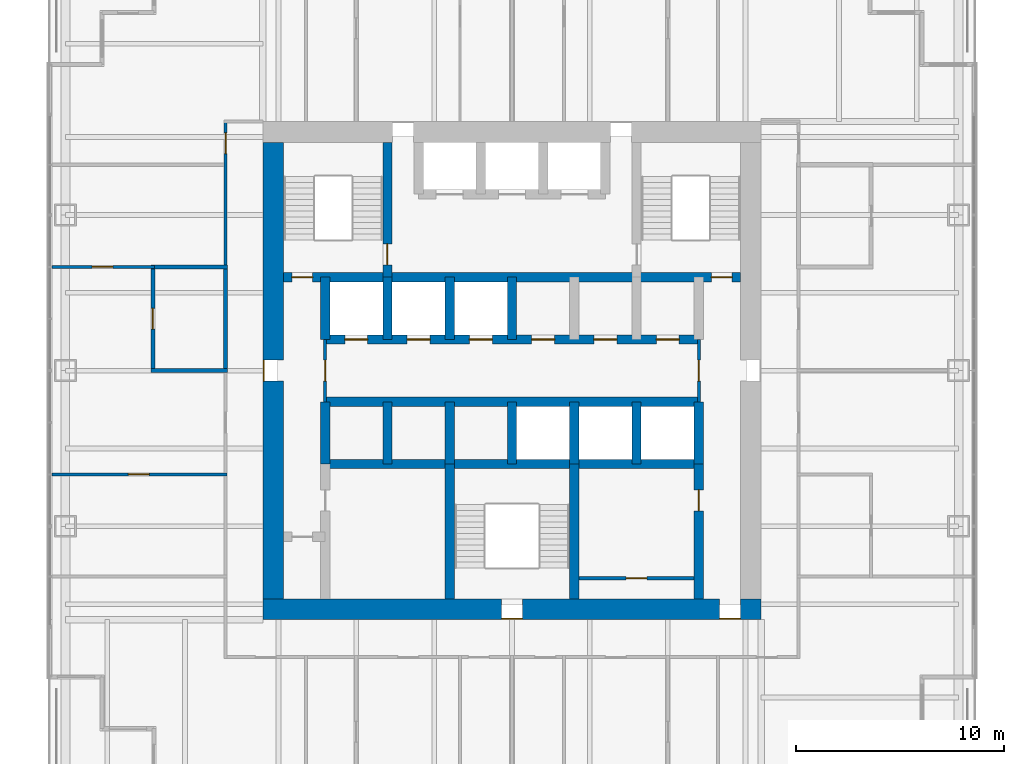
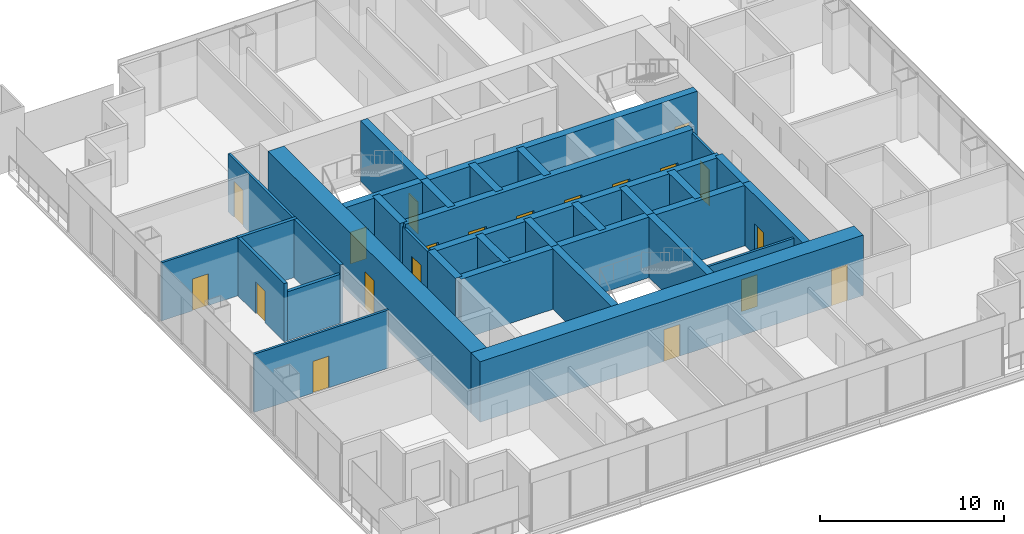
# One storey, part 9 of 13: 31 walls, 20 doors, 20 openings.
"""IFC4 building model written with IfcOpenShell, lengths in metres."""

from ifc_helpers import new_model, si_unit, direction, frame, frame_2d, origin, place, context, subcontext, project, spatial, rectangle, extrude, material, layer, layer_set, type_object, element, fill, save


model = new_model("IFC4")

# Units and contexts
model_context = context("Model", 3, precision=1e-05, world=origin(), true_north=direction((0.0, 1.0)))
body_context = subcontext(model_context, "Body", "Model", "MODEL_VIEW")
ifc_project = project(units=[si_unit("LENGTHUNIT", "METRE"), si_unit("AREAUNIT", "SQUARE_METRE"), si_unit("VOLUMEUNIT", "CUBIC_METRE"), si_unit("PLANEANGLEUNIT", "RADIAN"), si_unit("MASSUNIT", "GRAM", prefix="KILO")], contexts=[model_context])

# Site, building, storey
site_placement = place(None, origin())
site = spatial("IfcSite", under=ifc_project, at=site_placement, CompositionType="ELEMENT")
building_placement = place(site_placement, origin())
building = spatial("IfcBuilding", under=site, at=building_placement, Name="Tarangal Relay Tower", CompositionType="ELEMENT")
storey_placement = place(building_placement, frame((0.0, 0.0, 181.89990234375)))
storey = spatial("IfcBuildingStorey", under=building, at=storey_placement, Name="L37", CompositionType="ELEMENT", Elevation=181.89990234375)

# Walls
ifc_material_1 = material(Name="Two layers gypsum board each side on twin steel studs, mineral wool", Category="steel")
ifc_layer_1 = layer(ifc_material_1, 0.199951171875)
ifc_layer_set_1 = layer_set([ifc_layer_1], Name="Acoustic partition 200")
wall_type_1 = type_object("IfcWallType", Name="Acoustic partition 200", PredefinedType="PARTITIONING", material=ifc_layer_set_1)
wall_1_placement = place(storey_placement, frame((-17.39990234375, 0.0, 0.0), z_axis=(0.0, 0.0, 1.0), x_axis=(1.0, 0.0, 0.0)))
element("IfcWall", 1, at=wall_1_placement, inside=storey, type_object=wall_type_1, Name="Partition PT2 L37", PredefinedType="PARTITIONING", context=body_context, shape_type="SweptSolid", body=[
    extrude(rectangle(XDim=3.699951171875, YDim=0.199951171875, at=frame_2d((1.85009765625, 0.0))), origin(), (0.0, 0.0, 1.0), 3.238037109375),
])
wall_2_placement = place(storey_placement, frame((-17.39990234375, 5.0, 0.0), z_axis=(0.0, 0.0, 1.0), x_axis=(1.0, 0.0, 0.0)))
element("IfcWall", 2, at=wall_2_placement, inside=storey, type_object=wall_type_1, Name="Partition PT2 L37", PredefinedType="PARTITIONING", context=body_context, shape_type="SweptSolid", body=[
    extrude(rectangle(XDim=3.699951171875, YDim=0.199951171875, at=frame_2d((1.85009765625, 0.0))), origin(), (0.0, 0.0, 1.0), 3.85009765625),
])

# Wall, opening, door
wall_3_placement = place(storey_placement, frame((-17.300048828125, -0.10009765625, 0.0), z_axis=(0.0, 0.0, 1.0), x_axis=(0.0, 1.0, 0.0)))
wall_3 = element("IfcWall", 3, at=wall_3_placement, inside=storey, type_object=wall_type_1, Name="Partition PT2 L37", PredefinedType="PARTITIONING", context=body_context, shape_type="SweptSolid", body=[
    extrude(rectangle(XDim=5.2001953125, YDim=0.199951171875, at=frame_2d((2.60009765625, 0.0))), origin(), (0.0, 0.0, 1.0), 3.85009765625),
])
opening_1_placement = place(wall_3_placement, frame((2.10009765625, 0.0, 0.0)))
opening_1 = element("IfcOpeningElement", 4, at=opening_1_placement, cuts=wall_3, Name="Opening D2", PredefinedType="OPENING", context=body_context, shape_type="SweptSolid", body=[
    extrude(rectangle(XDim=1.0, YDim=2.10009765625, at=frame_2d((0.5, 1.050048828125))), frame((0.0, 0.10986328125, 0.0), z_axis=(0.0, -1.0, 0.0), x_axis=(1.0, 0.0, 0.0)), (0.0, 0.0, 1.0), 0.219970703125),
])
ifc_material_2 = material(Name="Hardwood door", Category="wood")
door_type_1 = type_object("IfcDoorType", Name="Door 1000 x 2100", OperationType="SINGLE_SWING_LEFT", PredefinedType="DOOR", material=ifc_material_2)
door_1_placement = place(opening_1_placement, origin())
door_1 = element("IfcDoor", 5, at=door_1_placement, inside=storey, type_object=door_type_1, Name="Door D2 to meeting room L37-20", OperationType="SINGLE_SWING_LEFT", OverallHeight=2.10009765625, OverallWidth=1.0, PredefinedType="DOOR", context=body_context, shape_type="SweptSolid", body=[
    extrude(rectangle(XDim=1.0, YDim=2.10009765625, at=frame_2d((0.5, 1.050048828125))), frame((0.0, 0.02490234375, 0.0), z_axis=(0.0, -1.0, 0.0), x_axis=(1.0, 0.0, 0.0)), (0.0, 0.0, 1.0), 0.050048828125),
])
fill(opening_1, door_1)

# Wall
wall_4_placement = place(storey_placement, frame((-13.800048828125, -0.10009765625, 0.0), z_axis=(0.0, 0.0, 1.0), x_axis=(0.0, 1.0, 0.0)))
element("IfcWall", 6, at=wall_4_placement, inside=storey, type_object=wall_type_1, Name="Partition PT2 L37", PredefinedType="PARTITIONING", context=body_context, shape_type="SweptSolid", body=[
    extrude(rectangle(XDim=5.2001953125, YDim=0.199951171875, at=frame_2d((2.60009765625, 0.0))), origin(), (0.0, 0.0, 1.0), 3.85009765625),
])

# Wall, openings, doors
ifc_material_3 = material(Name="Concrete fc' 60 MPa", Category="concrete")
ifc_layer_2 = layer(ifc_material_3, 0.449951171875)
ifc_layer_set_2 = layer_set([ifc_layer_2], Name="Core inner wall 450")
wall_type_2 = type_object("IfcWallType", Name="Core inner wall 450", PredefinedType="SHEAR", material=ifc_layer_set_2)
wall_5_placement = place(storey_placement, frame((-11.0, 4.5, 0.0), z_axis=(0.0, 0.0, 1.0), x_axis=(1.0, 0.0, 0.0)))
wall_5 = element("IfcWall", 7, at=wall_5_placement, inside=storey, type_object=wall_type_2, Name="Core wall Y45 L37", PredefinedType="SHEAR", context=body_context, shape_type="SweptSolid", body=[
    extrude(rectangle(XDim=22.0, YDim=0.449951171875, at=frame_2d((11.0, 0.0))), origin(), (0.0, 0.0, 1.0), 4.0),
])
opening_2_placement = place(wall_5_placement, frame((0.39990234375, 0.0, 0.0)))
opening_2 = element("IfcOpeningElement", 8, at=opening_2_placement, cuts=wall_5, Name="Opening FD1", PredefinedType="OPENING", context=body_context, shape_type="SweptSolid", body=[
    extrude(rectangle(XDim=1.0, YDim=2.10009765625, at=frame_2d((0.5, 1.050048828125))), frame((0.0, 0.23486328125, 0.0), z_axis=(0.0, -1.0, 0.0), x_axis=(1.0, 0.0, 0.0)), (0.0, 0.0, 1.0), 0.469970703125),
])
opening_3_placement = place(wall_5_placement, frame((20.60009765625, 0.0, 0.0)))
opening_3 = element("IfcOpeningElement", 9, at=opening_3_placement, cuts=wall_5, Name="Opening FD1", PredefinedType="OPENING", context=body_context, shape_type="SweptSolid", body=[
    extrude(rectangle(XDim=1.0, YDim=2.10009765625, at=frame_2d((0.5, 1.050048828125))), frame((0.0, 0.23486328125, 0.0), z_axis=(0.0, -1.0, 0.0), x_axis=(1.0, 0.0, 0.0)), (0.0, 0.0, 1.0), 0.469970703125),
])
ifc_material_4 = material(Name="Steel door with hardwood frame", Category="steel")
door_type_2 = type_object("IfcDoorType", Name="Fire door 1000 x 2100", OperationType="SINGLE_SWING_LEFT", PredefinedType="DOOR", material=ifc_material_4)
door_2_placement = place(opening_2_placement, origin())
door_2 = element("IfcDoor", 10, at=door_2_placement, inside=storey, type_object=door_type_2, Name="Stair ST-A door from corridor L37", OperationType="SINGLE_SWING_LEFT", OverallHeight=2.10009765625, OverallWidth=1.0, PredefinedType="DOOR", context=body_context, shape_type="SweptSolid", body=[
    extrude(rectangle(XDim=1.0, YDim=2.10009765625, at=frame_2d((0.5, 1.050048828125))), frame((0.0, 0.02490234375, 0.0), z_axis=(0.0, -1.0, 0.0), x_axis=(1.0, 0.0, 0.0)), (0.0, 0.0, 1.0), 0.050048828125),
])
fill(opening_2, door_2)
door_3_placement = place(opening_3_placement, origin())
door_3 = element("IfcDoor", 11, at=door_3_placement, inside=storey, type_object=door_type_2, Name="Stair ST-B door from corridor L37", OperationType="SINGLE_SWING_LEFT", OverallHeight=2.10009765625, OverallWidth=1.0, PredefinedType="DOOR", context=body_context, shape_type="SweptSolid", body=[
    extrude(rectangle(XDim=1.0, YDim=2.10009765625, at=frame_2d((0.5, 1.050048828125))), frame((0.0, 0.02490234375, 0.0), z_axis=(0.0, -1.0, 0.0), x_axis=(1.0, 0.0, 0.0)), (0.0, 0.0, 1.0), 0.050048828125),
])
fill(opening_3, door_3)

wall_6_placement = place(storey_placement, frame((-9.0, 1.5, 0.0), z_axis=(0.0, 0.0, 1.0), x_axis=(1.0, 0.0, 0.0)))
wall_6 = element("IfcWall", 12, at=wall_6_placement, inside=storey, type_object=wall_type_2, Name="Core wall Y15 L37", PredefinedType="SHEAR", context=body_context, shape_type="SweptSolid", body=[
    extrude(rectangle(XDim=18.0, YDim=0.449951171875, at=frame_2d((9.0, 0.0))), origin(), (0.0, 0.0, 1.0), 4.0),
])
opening_4_placement = place(wall_6_placement, frame((0.949951171875, 0.0, 0.0)))
opening_4 = element("IfcOpeningElement", 13, at=opening_4_placement, cuts=wall_6, Name="Opening LD1", PredefinedType="OPENING", context=body_context, shape_type="SweptSolid", body=[
    extrude(rectangle(XDim=1.10009765625, YDim=2.10009765625, at=frame_2d((0.550048828125, 1.050048828125))), frame((0.0, 0.23486328125, 0.0), z_axis=(0.0, -1.0, 0.0), x_axis=(1.0, 0.0, 0.0)), (0.0, 0.0, 1.0), 0.469970703125),
])
opening_5_placement = place(wall_6_placement, frame((3.949951171875, 0.0, 0.0)))
opening_5 = element("IfcOpeningElement", 14, at=opening_5_placement, cuts=wall_6, Name="Opening LD1", PredefinedType="OPENING", context=body_context, shape_type="SweptSolid", body=[
    extrude(rectangle(XDim=1.10009765625, YDim=2.10009765625, at=frame_2d((0.550048828125, 1.050048828125))), frame((0.0, 0.23486328125, 0.0), z_axis=(0.0, -1.0, 0.0), x_axis=(1.0, 0.0, 0.0)), (0.0, 0.0, 1.0), 0.469970703125),
])
opening_6_placement = place(wall_6_placement, frame((6.949951171875, 0.0, 0.0)))
opening_6 = element("IfcOpeningElement", 15, at=opening_6_placement, cuts=wall_6, Name="Opening LD1", PredefinedType="OPENING", context=body_context, shape_type="SweptSolid", body=[
    extrude(rectangle(XDim=1.10009765625, YDim=2.10009765625, at=frame_2d((0.550048828125, 1.050048828125))), frame((0.0, 0.23486328125, 0.0), z_axis=(0.0, -1.0, 0.0), x_axis=(1.0, 0.0, 0.0)), (0.0, 0.0, 1.0), 0.469970703125),
])
opening_7_placement = place(wall_6_placement, frame((9.949951171875, 0.0, 0.0)))
opening_7 = element("IfcOpeningElement", 16, at=opening_7_placement, cuts=wall_6, Name="Opening D4", PredefinedType="OPENING", context=body_context, shape_type="SweptSolid", body=[
    extrude(rectangle(XDim=1.10009765625, YDim=2.10009765625, at=frame_2d((0.550048828125, 1.050048828125))), frame((0.0, 0.23486328125, 0.0), z_axis=(0.0, -1.0, 0.0), x_axis=(1.0, 0.0, 0.0)), (0.0, 0.0, 1.0), 0.469970703125),
])
opening_8_placement = place(wall_6_placement, frame((12.949951171875, 0.0, 0.0)))
opening_8 = element("IfcOpeningElement", 17, at=opening_8_placement, cuts=wall_6, Name="Opening D4", PredefinedType="OPENING", context=body_context, shape_type="SweptSolid", body=[
    extrude(rectangle(XDim=1.10009765625, YDim=2.10009765625, at=frame_2d((0.550048828125, 1.050048828125))), frame((0.0, 0.23486328125, 0.0), z_axis=(0.0, -1.0, 0.0), x_axis=(1.0, 0.0, 0.0)), (0.0, 0.0, 1.0), 0.469970703125),
])
opening_9_placement = place(wall_6_placement, frame((15.949951171875, 0.0, 0.0)))
opening_9 = element("IfcOpeningElement", 18, at=opening_9_placement, cuts=wall_6, Name="Opening D4", PredefinedType="OPENING", context=body_context, shape_type="SweptSolid", body=[
    extrude(rectangle(XDim=1.10009765625, YDim=2.10009765625, at=frame_2d((0.550048828125, 1.050048828125))), frame((0.0, 0.23486328125, 0.0), z_axis=(0.0, -1.0, 0.0), x_axis=(1.0, 0.0, 0.0)), (0.0, 0.0, 1.0), 0.469970703125),
])
door_type_3 = type_object("IfcDoorType", Name="Core room door 1100 x 2100", OperationType="SINGLE_SWING_RIGHT", PredefinedType="DOOR", material=ifc_material_4)
door_4_placement = place(opening_7_placement, origin())
door_4 = element("IfcDoor", 19, at=door_4_placement, inside=storey, type_object=door_type_3, Name="Door D4 to staff pantry L37-T1", OperationType="SINGLE_SWING_RIGHT", OverallHeight=2.10009765625, OverallWidth=1.10009765625, PredefinedType="DOOR", context=body_context, shape_type="SweptSolid", body=[
    extrude(rectangle(XDim=1.10009765625, YDim=2.10009765625, at=frame_2d((0.550048828125, 1.050048828125))), frame((0.0, 0.02490234375, 0.0), z_axis=(0.0, -1.0, 0.0), x_axis=(1.0, 0.0, 0.0)), (0.0, 0.0, 1.0), 0.050048828125),
])
fill(opening_7, door_4)
door_5_placement = place(opening_8_placement, origin())
door_5 = element("IfcDoor", 20, at=door_5_placement, inside=storey, type_object=door_type_3, Name="Door D4 to it room L37-T2", OperationType="SINGLE_SWING_RIGHT", OverallHeight=2.10009765625, OverallWidth=1.10009765625, PredefinedType="DOOR", context=body_context, shape_type="SweptSolid", body=[
    extrude(rectangle(XDim=1.10009765625, YDim=2.10009765625, at=frame_2d((0.550048828125, 1.050048828125))), frame((0.0, 0.02490234375, 0.0), z_axis=(0.0, -1.0, 0.0), x_axis=(1.0, 0.0, 0.0)), (0.0, 0.0, 1.0), 0.050048828125),
])
fill(opening_8, door_5)
door_6_placement = place(opening_9_placement, origin())
door_6 = element("IfcDoor", 21, at=door_6_placement, inside=storey, type_object=door_type_3, Name="Door D4 to cleaner's store L37-T3", OperationType="SINGLE_SWING_RIGHT", OverallHeight=2.10009765625, OverallWidth=1.10009765625, PredefinedType="DOOR", context=body_context, shape_type="SweptSolid", body=[
    extrude(rectangle(XDim=1.10009765625, YDim=2.10009765625, at=frame_2d((0.550048828125, 1.050048828125))), frame((0.0, 0.02490234375, 0.0), z_axis=(0.0, -1.0, 0.0), x_axis=(1.0, 0.0, 0.0)), (0.0, 0.0, 1.0), 0.050048828125),
])
fill(opening_9, door_6)
door_type_4 = type_object("IfcDoorType", Name="Lift landing door 1100 x 2100", OperationType="SLIDING_TO_LEFT", PredefinedType="DOOR", material=ifc_material_4)
door_7_placement = place(opening_4_placement, origin())
door_7 = element("IfcDoor", 22, at=door_7_placement, inside=storey, type_object=door_type_4, Name="Lift OL1 landing door L37", OperationType="SLIDING_TO_LEFT", OverallHeight=2.10009765625, OverallWidth=1.10009765625, PredefinedType="DOOR", context=body_context, shape_type="SweptSolid", body=[
    extrude(rectangle(XDim=1.10009765625, YDim=2.10009765625, at=frame_2d((0.550048828125, 1.050048828125))), frame((0.0, 0.02490234375, 0.0), z_axis=(0.0, -1.0, 0.0), x_axis=(1.0, 0.0, 0.0)), (0.0, 0.0, 1.0), 0.050048828125),
])
fill(opening_4, door_7)
door_8_placement = place(opening_5_placement, origin())
door_8 = element("IfcDoor", 23, at=door_8_placement, inside=storey, type_object=door_type_4, Name="Lift OL2 landing door L37", OperationType="SLIDING_TO_LEFT", OverallHeight=2.10009765625, OverallWidth=1.10009765625, PredefinedType="DOOR", context=body_context, shape_type="SweptSolid", body=[
    extrude(rectangle(XDim=1.10009765625, YDim=2.10009765625, at=frame_2d((0.550048828125, 1.050048828125))), frame((0.0, 0.02490234375, 0.0), z_axis=(0.0, -1.0, 0.0), x_axis=(1.0, 0.0, 0.0)), (0.0, 0.0, 1.0), 0.050048828125),
])
fill(opening_5, door_8)
door_9_placement = place(opening_6_placement, origin())
door_9 = element("IfcDoor", 24, at=door_9_placement, inside=storey, type_object=door_type_4, Name="Lift OL3 landing door L37", OperationType="SLIDING_TO_LEFT", OverallHeight=2.10009765625, OverallWidth=1.10009765625, PredefinedType="DOOR", context=body_context, shape_type="SweptSolid", body=[
    extrude(rectangle(XDim=1.10009765625, YDim=2.10009765625, at=frame_2d((0.550048828125, 1.050048828125))), frame((0.0, 0.02490234375, 0.0), z_axis=(0.0, -1.0, 0.0), x_axis=(1.0, 0.0, 0.0)), (0.0, 0.0, 1.0), 0.050048828125),
])
fill(opening_6, door_9)

# Walls
for number, where, z_axis, x_axis, name in (
    (25, (-9.0, -1.5, 0.0), (0.0, 0.0, 1.0), (1.0, 0.0, 0.0), "Core wall YM15 L37"),
    (26, (-9.0, -4.5, 0.0), (0.0, 0.0, 1.0), (1.0, 0.0, 0.0), "Core wall YM45 L37"),
):
    element("IfcWall", number, at=place(storey_placement, frame(where, z_axis=z_axis, x_axis=x_axis)), inside=storey, type_object=wall_type_2, Name=name, PredefinedType="SHEAR", context=body_context, shape_type="SweptSolid", body=[
        extrude(rectangle(XDim=18.0, YDim=0.449951171875, at=frame_2d((9.0, 0.0))), origin(), (0.0, 0.0, 1.0), 4.0),
    ])
for number, where, z_axis, x_axis, name in (
    (27, (-9.0, 1.5, 0.0), (0.0, 0.0, 1.0), (0.0, 1.0, 0.0), "Core wall XM9N L37"),
    (28, (-9.0, -4.5, 0.0), (0.0, 0.0, 1.0), (0.0, 1.0, 0.0), "Core wall XM9S L37"),
    (29, (9.0, -4.5, 0.0), (0.0, 0.0, 1.0), (0.0, 1.0, 0.0), "Core wall X9S L37"),
    (30, (-6.0, 1.5, 0.0), (0.0, 0.0, 1.0), (0.0, 1.0, 0.0), "Core wall XM6N L37"),
    (31, (-3.0, 1.5, 0.0), (0.0, 0.0, 1.0), (0.0, 1.0, 0.0), "Core wall XM3N L37"),
    (32, (0.0, 1.5, 0.0), (0.0, 0.0, 1.0), (0.0, 1.0, 0.0), "Core wall X0N L37"),
    (33, (-6.0, -4.5, 0.0), (0.0, 0.0, 1.0), (0.0, 1.0, 0.0), "Core wall XM6S L37"),
    (34, (-3.0, -4.5, 0.0), (0.0, 0.0, 1.0), (0.0, 1.0, 0.0), "Core wall XM3S L37"),
    (35, (0.0, -4.5, 0.0), (0.0, 0.0, 1.0), (0.0, 1.0, 0.0), "Core wall X0S L37"),
    (36, (3.0, -4.5, 0.0), (0.0, 0.0, 1.0), (0.0, 1.0, 0.0), "Core wall X3S L37"),
    (37, (6.0, -4.5, 0.0), (0.0, 0.0, 1.0), (0.0, 1.0, 0.0), "Core wall X6S L37"),
):
    element("IfcWall", number, at=place(storey_placement, frame(where, z_axis=z_axis, x_axis=x_axis)), inside=storey, type_object=wall_type_2, Name=name, PredefinedType="SHEAR", context=body_context, shape_type="SweptSolid", body=[
        extrude(rectangle(XDim=3.0, YDim=0.449951171875, at=frame_2d((1.5, 0.0))), origin(), (0.0, 0.0, 1.0), 4.0),
    ])

# Wall, opening, door
wall_7_placement = place(storey_placement, frame((-6.0, 4.5, 0.0), z_axis=(0.0, 0.0, 1.0), x_axis=(0.0, 1.0, 0.0)))
wall_7 = element("IfcWall", 38, at=wall_7_placement, inside=storey, type_object=wall_type_2, Name="Core wall XM6 L37", PredefinedType="SHEAR", context=body_context, shape_type="SweptSolid", body=[
    extrude(rectangle(XDim=6.5, YDim=0.449951171875, at=frame_2d((3.25, 0.0))), origin(), (0.0, 0.0, 1.0), 4.0),
])
opening_10_placement = place(wall_7_placement, frame((0.60009765625, 0.0, 0.0)))
opening_10 = element("IfcOpeningElement", 39, at=opening_10_placement, cuts=wall_7, Name="Opening FD1", PredefinedType="OPENING", context=body_context, shape_type="SweptSolid", body=[
    extrude(rectangle(XDim=1.0, YDim=2.10009765625, at=frame_2d((0.5, 1.050048828125))), frame((0.0, 0.23486328125, 0.0), z_axis=(0.0, -1.0, 0.0), x_axis=(1.0, 0.0, 0.0)), (0.0, 0.0, 1.0), 0.469970703125),
])
door_10_placement = place(opening_10_placement, origin())
door_10 = element("IfcDoor", 40, at=door_10_placement, inside=storey, type_object=door_type_2, Name="Stair ST-A door from fire-fighting lobby L37", OperationType="SINGLE_SWING_LEFT", OverallHeight=2.10009765625, OverallWidth=1.0, PredefinedType="DOOR", context=body_context, shape_type="SweptSolid", body=[
    extrude(rectangle(XDim=1.0, YDim=2.10009765625, at=frame_2d((0.5, 1.050048828125))), frame((0.0, 0.02490234375, 0.0), z_axis=(0.0, -1.0, 0.0), x_axis=(1.0, 0.0, 0.0)), (0.0, 0.0, 1.0), 0.050048828125),
])
fill(opening_10, door_10)

wall_8_placement = place(storey_placement, frame((9.0, -11.0, 0.0), z_axis=(0.0, 0.0, 1.0), x_axis=(0.0, 1.0, 0.0)))
wall_8 = element("IfcWall", 41, at=wall_8_placement, inside=storey, type_object=wall_type_2, Name="Core wall X9W L37", PredefinedType="SHEAR", context=body_context, shape_type="SweptSolid", body=[
    extrude(rectangle(XDim=6.5, YDim=0.449951171875, at=frame_2d((3.25, 0.0))), origin(), (0.0, 0.0, 1.0), 4.0),
])
opening_11_placement = place(wall_8_placement, frame((4.25, 0.0, 0.0)))
opening_11 = element("IfcOpeningElement", 42, at=opening_11_placement, cuts=wall_8, Name="Opening D1", PredefinedType="OPENING", context=body_context, shape_type="SweptSolid", body=[
    extrude(rectangle(XDim=1.0, YDim=2.10009765625, at=frame_2d((0.5, 1.050048828125))), frame((0.0, 0.23486328125, 0.0), z_axis=(0.0, -1.0, 0.0), x_axis=(1.0, 0.0, 0.0)), (0.0, 0.0, 1.0), 0.469970703125),
])
door_type_5 = type_object("IfcDoorType", Name="WC door 1000 x 2100", OperationType="SINGLE_SWING_LEFT", PredefinedType="DOOR", material=ifc_material_2)
door_11_placement = place(opening_11_placement, origin())
door_11 = element("IfcDoor", 43, at=door_11_placement, inside=storey, type_object=door_type_5, Name="Female WC door L37", OperationType="SINGLE_SWING_LEFT", OverallHeight=2.10009765625, OverallWidth=1.0, PredefinedType="DOOR", context=body_context, shape_type="SweptSolid", body=[
    extrude(rectangle(XDim=1.0, YDim=2.10009765625, at=frame_2d((0.5, 1.050048828125))), frame((0.0, 0.02490234375, 0.0), z_axis=(0.0, -1.0, 0.0), x_axis=(1.0, 0.0, 0.0)), (0.0, 0.0, 1.0), 0.050048828125),
])
fill(opening_11, door_11)

# Walls
for number, where, z_axis, x_axis, name in (
    (44, (-3.0, -11.0, 0.0), (0.0, 0.0, 1.0), (0.0, 1.0, 0.0), "Core wall XM3W L37"),
    (45, (3.0, -11.0, 0.0), (0.0, 0.0, 1.0), (0.0, 1.0, 0.0), "Core wall X3W L37"),
):
    element("IfcWall", number, at=place(storey_placement, frame(where, z_axis=z_axis, x_axis=x_axis)), inside=storey, type_object=wall_type_2, Name=name, PredefinedType="SHEAR", context=body_context, shape_type="SweptSolid", body=[
        extrude(rectangle(XDim=6.5, YDim=0.449951171875, at=frame_2d((3.25, 0.0))), origin(), (0.0, 0.0, 1.0), 4.0),
    ])

# Wall, openings, doors
ifc_layer_3 = layer(ifc_material_3, 1.0)
ifc_layer_set_3 = layer_set([ifc_layer_3], Name="Core wall 1000")
wall_type_3 = type_object("IfcWallType", Name="Core wall 1000", PredefinedType="SHEAR", material=ifc_layer_set_3)
wall_9_placement = place(storey_placement, frame((12.0, -11.5, 0.0), z_axis=(0.0, 0.0, 1.0), x_axis=(-1.0, 0.0, 0.0)))
wall_9 = element("IfcWall", 46, at=wall_9_placement, inside=storey, type_object=wall_type_3, Name="Core wall S L37", PredefinedType="SHEAR", context=body_context, shape_type="SweptSolid", body=[
    extrude(rectangle(XDim=24.0, YDim=1.0, at=frame_2d((12.0, 0.0))), origin(), (0.0, 0.0, 1.0), 4.0),
])
opening_12_placement = place(wall_9_placement, frame((11.5, 0.0, 0.0)))
opening_12 = element("IfcOpeningElement", 47, at=opening_12_placement, cuts=wall_9, Name="Opening FD1", PredefinedType="OPENING", context=body_context, shape_type="SweptSolid", body=[
    extrude(rectangle(XDim=1.0, YDim=2.10009765625, at=frame_2d((0.5, 1.050048828125))), frame((0.0, 0.510009765625, 0.0), z_axis=(0.0, -1.0, 0.0), x_axis=(1.0, 0.0, 0.0)), (0.0, 0.0, 1.0), 1.02001953125),
])
opening_13_placement = place(wall_9_placement, frame((1.0, 0.0, 0.0)))
opening_13 = element("IfcOpeningElement", 48, at=opening_13_placement, cuts=wall_9, Name="Opening FD3", PredefinedType="OPENING", context=body_context, shape_type="SweptSolid", body=[
    extrude(rectangle(XDim=1.0, YDim=2.39990234375, at=frame_2d((0.5, 1.199951171875))), frame((0.0, 0.510009765625, 0.0), z_axis=(0.0, -1.0, 0.0), x_axis=(1.0, 0.0, 0.0)), (0.0, 0.0, 1.0), 1.02001953125),
])
door_12_placement = place(opening_12_placement, origin())
door_12 = element("IfcDoor", 49, at=door_12_placement, inside=storey, type_object=door_type_2, Name="Stair ST-C door L37", OperationType="SINGLE_SWING_LEFT", OverallHeight=2.10009765625, OverallWidth=1.0, PredefinedType="DOOR", context=body_context, shape_type="SweptSolid", body=[
    extrude(rectangle(XDim=1.0, YDim=2.10009765625, at=frame_2d((0.5, 1.050048828125))), frame((0.0, 0.48486328125, 0.0), z_axis=(0.0, -1.0, 0.0), x_axis=(1.0, 0.0, 0.0)), (0.0, 0.0, 1.0), 0.050048828125),
])
fill(opening_12, door_12)
door_type_6 = type_object("IfcDoorType", Name="Fire door 1000 x 2400 core entry", OperationType="SINGLE_SWING_RIGHT", PredefinedType="DOOR", material=ifc_material_4)
door_13_placement = place(opening_13_placement, origin())
door_13 = element("IfcDoor", 50, at=door_13_placement, inside=storey, type_object=door_type_6, Name="Core entry door south east L37", OperationType="SINGLE_SWING_RIGHT", OverallHeight=2.39990234375, OverallWidth=1.0, PredefinedType="DOOR", context=body_context, shape_type="SweptSolid", body=[
    extrude(rectangle(XDim=1.0, YDim=2.39990234375, at=frame_2d((0.5, 1.199951171875))), frame((0.0, 0.48486328125, 0.0), z_axis=(0.0, -1.0, 0.0), x_axis=(1.0, 0.0, 0.0)), (0.0, 0.0, 1.0), 0.050048828125),
])
fill(opening_13, door_13)

# Wall, opening, door
wall_10_placement = place(storey_placement, frame((-11.5, -11.0, 0.0), z_axis=(0.0, 0.0, 1.0), x_axis=(0.0, 1.0, 0.0)))
wall_10 = element("IfcWall", 51, at=wall_10_placement, inside=storey, type_object=wall_type_3, Name="Core wall W L37", PredefinedType="SHEAR", context=body_context, shape_type="SweptSolid", body=[
    extrude(rectangle(XDim=22.0, YDim=1.0, at=frame_2d((11.0, 0.0))), origin(), (0.0, 0.0, 1.0), 4.0),
])
opening_14_placement = place(wall_10_placement, frame((10.5, 0.0, 0.0)))
opening_14 = element("IfcOpeningElement", 52, at=opening_14_placement, cuts=wall_10, Name="Opening FD3", PredefinedType="OPENING", context=body_context, shape_type="SweptSolid", body=[
    extrude(rectangle(XDim=1.0, YDim=2.39990234375, at=frame_2d((0.5, 1.199951171875))), frame((0.0, 0.510009765625, 0.0), z_axis=(0.0, -1.0, 0.0), x_axis=(1.0, 0.0, 0.0)), (0.0, 0.0, 1.0), 1.02001953125),
])
door_14_placement = place(opening_14_placement, origin())
door_14 = element("IfcDoor", 53, at=door_14_placement, inside=storey, type_object=door_type_6, Name="Core entry door west L37", OperationType="SINGLE_SWING_RIGHT", OverallHeight=2.39990234375, OverallWidth=1.0, PredefinedType="DOOR", context=body_context, shape_type="SweptSolid", body=[
    extrude(rectangle(XDim=1.0, YDim=2.39990234375, at=frame_2d((0.5, 1.199951171875))), frame((0.0, 0.48486328125, 0.0), z_axis=(0.0, -1.0, 0.0), x_axis=(1.0, 0.0, 0.0)), (0.0, 0.0, 1.0), 0.050048828125),
])
fill(opening_14, door_14)

ifc_material_5 = material(Name="Gypsum board on steel studs", Category="steel")
ifc_layer_4 = layer(ifc_material_5, 0.14990234375)
ifc_layer_set_4 = layer_set([ifc_layer_4], Name="Partition 150")
wall_type_4 = type_object("IfcWallType", Name="Partition 150", PredefinedType="PARTITIONING", material=ifc_layer_set_4)
wall_11_placement = place(storey_placement, frame((-22.14990234375, -5.0, 0.0), z_axis=(0.0, 0.0, 1.0), x_axis=(1.0, 0.0, 0.0)))
wall_11 = element("IfcWall", 54, at=wall_11_placement, inside=storey, type_object=wall_type_4, Name="Partition PT1 L37", PredefinedType="PARTITIONING", context=body_context, shape_type="SweptSolid", body=[
    extrude(rectangle(XDim=8.4248046875, YDim=0.14990234375, at=frame_2d((4.21240234375, 0.0))), origin(), (0.0, 0.0, 1.0), 3.85009765625),
])
opening_15_placement = place(wall_11_placement, frame((3.675048828125, 0.0, 0.0)))
opening_15 = element("IfcOpeningElement", 55, at=opening_15_placement, cuts=wall_11, Name="Opening D2", PredefinedType="OPENING", context=body_context, shape_type="SweptSolid", body=[
    extrude(rectangle(XDim=1.0, YDim=2.10009765625, at=frame_2d((0.5, 1.050048828125))), frame((0.0, 0.0849609375, 0.0), z_axis=(0.0, -1.0, 0.0), x_axis=(1.0, 0.0, 0.0)), (0.0, 0.0, 1.0), 0.169921875),
])
door_15_placement = place(opening_15_placement, origin())
door_15 = element("IfcDoor", 56, at=door_15_placement, inside=storey, type_object=door_type_1, Name="Door D2 to cellular office L37-18", OperationType="SINGLE_SWING_LEFT", OverallHeight=2.10009765625, OverallWidth=1.0, PredefinedType="DOOR", context=body_context, shape_type="SweptSolid", body=[
    extrude(rectangle(XDim=1.0, YDim=2.10009765625, at=frame_2d((0.5, 1.050048828125))), frame((0.0, 0.02490234375, 0.0), z_axis=(0.0, -1.0, 0.0), x_axis=(1.0, 0.0, 0.0)), (0.0, 0.0, 1.0), 0.050048828125),
])
fill(opening_15, door_15)

wall_12_placement = place(storey_placement, frame((-22.14990234375, 5.0, 0.0), z_axis=(0.0, 0.0, 1.0), x_axis=(1.0, 0.0, 0.0)))
wall_12 = element("IfcWall", 57, at=wall_12_placement, inside=storey, type_object=wall_type_4, Name="Partition PT1 L37", PredefinedType="PARTITIONING", context=body_context, shape_type="SweptSolid", body=[
    extrude(rectangle(XDim=4.9248046875, YDim=0.14990234375, at=frame_2d((2.46240234375, 0.0))), origin(), (0.0, 0.0, 1.0), 3.85009765625),
])
opening_16_placement = place(wall_12_placement, frame((1.925048828125, 0.0, 0.0)))
opening_16 = element("IfcOpeningElement", 58, at=opening_16_placement, cuts=wall_12, Name="Opening D2", PredefinedType="OPENING", context=body_context, shape_type="SweptSolid", body=[
    extrude(rectangle(XDim=1.0, YDim=2.10009765625, at=frame_2d((0.5, 1.050048828125))), frame((0.0, 0.0849609375, 0.0), z_axis=(0.0, -1.0, 0.0), x_axis=(1.0, 0.0, 0.0)), (0.0, 0.0, 1.0), 0.169921875),
])
door_16_placement = place(opening_16_placement, origin())
door_16 = element("IfcDoor", 59, at=door_16_placement, inside=storey, type_object=door_type_1, Name="Door D2 to cellular office L37-21", OperationType="SINGLE_SWING_LEFT", OverallHeight=2.10009765625, OverallWidth=1.0, PredefinedType="DOOR", context=body_context, shape_type="SweptSolid", body=[
    extrude(rectangle(XDim=1.0, YDim=2.10009765625, at=frame_2d((0.5, 1.050048828125))), frame((0.0, 0.02490234375, 0.0), z_axis=(0.0, -1.0, 0.0), x_axis=(1.0, 0.0, 0.0)), (0.0, 0.0, 1.0), 0.050048828125),
])
fill(opening_16, door_16)

wall_13_placement = place(storey_placement, frame((-13.800048828125, 4.925048828125, 0.0), z_axis=(0.0, 0.0, 1.0), x_axis=(0.0, 1.0, 0.0)))
wall_13 = element("IfcWall", 60, at=wall_13_placement, inside=storey, type_object=wall_type_4, Name="Partition PT1 L37", PredefinedType="PARTITIONING", context=body_context, shape_type="SweptSolid", body=[
    extrude(rectangle(XDim=7.14990234375, YDim=0.14990234375, at=frame_2d((3.574951171875, 0.0))), origin(), (0.0, 0.0, 1.0), 3.85009765625),
])
opening_17_placement = place(wall_13_placement, frame((5.533447265625, 0.0, 0.0)))
opening_17 = element("IfcOpeningElement", 61, at=opening_17_placement, cuts=wall_13, Name="Opening SD1", PredefinedType="OPENING", context=body_context, shape_type="SweptSolid", body=[
    extrude(rectangle(XDim=1.0, YDim=2.39990234375, at=frame_2d((0.5, 1.199951171875))), frame((0.0, 0.0849609375, 0.0), z_axis=(0.0, -1.0, 0.0), x_axis=(1.0, 0.0, 0.0)), (0.0, 0.0, 1.0), 0.169921875),
])
door_type_7 = type_object("IfcDoorType", Name="Suite entrance door 1000 x 2400", OperationType="SINGLE_SWING_RIGHT", PredefinedType="DOOR", material=ifc_material_4)
door_17_placement = place(opening_17_placement, origin())
door_17 = element("IfcDoor", 62, at=door_17_placement, inside=storey, type_object=door_type_7, Name="Door SD1 to open plan office L37-25", OperationType="SINGLE_SWING_RIGHT", OverallHeight=2.39990234375, OverallWidth=1.0, PredefinedType="DOOR", context=body_context, shape_type="SweptSolid", body=[
    extrude(rectangle(XDim=1.0, YDim=2.39990234375, at=frame_2d((0.5, 1.199951171875))), frame((0.0, 0.02490234375, 0.0), z_axis=(0.0, -1.0, 0.0), x_axis=(1.0, 0.0, 0.0)), (0.0, 0.0, 1.0), 0.050048828125),
])
fill(opening_17, door_17)

wall_14_placement = place(storey_placement, frame((3.22509765625, -10.0, 0.0), z_axis=(0.0, 0.0, 1.0), x_axis=(1.0, 0.0, 0.0)))
wall_14 = element("IfcWall", 63, at=wall_14_placement, inside=storey, type_object=wall_type_4, Name="Partition PT1 L37", PredefinedType="PARTITIONING", context=body_context, shape_type="SweptSolid", body=[
    extrude(rectangle(XDim=5.5498046875, YDim=0.14990234375, at=frame_2d((2.77490234375, 0.0))), origin(), (0.0, 0.0, 1.0), 3.75),
])
opening_18_placement = place(wall_14_placement, frame((2.27490234375, 0.0, 0.0)))
opening_18 = element("IfcOpeningElement", 64, at=opening_18_placement, cuts=wall_14, Name="Opening D1", PredefinedType="OPENING", context=body_context, shape_type="SweptSolid", body=[
    extrude(rectangle(XDim=1.0, YDim=2.10009765625, at=frame_2d((0.5, 1.050048828125))), frame((0.0, 0.0849609375, 0.0), z_axis=(0.0, -1.0, 0.0), x_axis=(1.0, 0.0, 0.0)), (0.0, 0.0, 1.0), 0.169921875),
])
door_18_placement = place(opening_18_placement, origin())
door_18 = element("IfcDoor", 65, at=door_18_placement, inside=storey, type_object=door_type_5, Name="Door D1 to baby change room L37-C10B", OperationType="SINGLE_SWING_LEFT", OverallHeight=2.10009765625, OverallWidth=1.0, PredefinedType="DOOR", context=body_context, shape_type="SweptSolid", body=[
    extrude(rectangle(XDim=1.0, YDim=2.10009765625, at=frame_2d((0.5, 1.050048828125))), frame((0.0, 0.02490234375, 0.0), z_axis=(0.0, -1.0, 0.0), x_axis=(1.0, 0.0, 0.0)), (0.0, 0.0, 1.0), 0.050048828125),
])
fill(opening_18, door_18)

wall_15_placement = place(storey_placement, frame((-9.0, -1.5, 0.0), z_axis=(0.0, 0.0, 1.0), x_axis=(0.0, 1.0, 0.0)))
wall_15 = element("IfcWall", 66, at=wall_15_placement, inside=storey, type_object=wall_type_4, Name="Partition PT1 L37", PredefinedType="PARTITIONING", context=body_context, shape_type="SweptSolid", body=[
    extrude(rectangle(XDim=3.0, YDim=0.14990234375, at=frame_2d((1.5, 0.0))), origin(), (0.0, 0.0, 1.0), 3.75),
])
opening_19_placement = place(wall_15_placement, frame((1.0, 0.0, 0.0)))
opening_19 = element("IfcOpeningElement", 67, at=opening_19_placement, cuts=wall_15, Name="Opening FD3", PredefinedType="OPENING", context=body_context, shape_type="SweptSolid", body=[
    extrude(rectangle(XDim=1.0, YDim=2.39990234375, at=frame_2d((0.5, 1.199951171875))), frame((0.0, 0.0849609375, 0.0), z_axis=(0.0, -1.0, 0.0), x_axis=(1.0, 0.0, 0.0)), (0.0, 0.0, 1.0), 0.169921875),
])
door_19_placement = place(opening_19_placement, origin())
door_19 = element("IfcDoor", 68, at=door_19_placement, inside=storey, type_object=door_type_6, Name="Lift lobby door FD3 to the west corridor L37", OperationType="SINGLE_SWING_RIGHT", OverallHeight=2.39990234375, OverallWidth=1.0, PredefinedType="DOOR", context=body_context, shape_type="SweptSolid", body=[
    extrude(rectangle(XDim=1.0, YDim=2.39990234375, at=frame_2d((0.5, 1.199951171875))), frame((0.0, 0.02490234375, 0.0), z_axis=(0.0, -1.0, 0.0), x_axis=(1.0, 0.0, 0.0)), (0.0, 0.0, 1.0), 0.050048828125),
])
fill(opening_19, door_19)

wall_16_placement = place(storey_placement, frame((9.0, -1.5, 0.0), z_axis=(0.0, 0.0, 1.0), x_axis=(0.0, 1.0, 0.0)))
wall_16 = element("IfcWall", 69, at=wall_16_placement, inside=storey, type_object=wall_type_4, Name="Partition PT1 L37", PredefinedType="PARTITIONING", context=body_context, shape_type="SweptSolid", body=[
    extrude(rectangle(XDim=3.0, YDim=0.14990234375, at=frame_2d((1.5, 0.0))), origin(), (0.0, 0.0, 1.0), 3.75),
])
opening_20_placement = place(wall_16_placement, frame((1.0, 0.0, 0.0)))
opening_20 = element("IfcOpeningElement", 70, at=opening_20_placement, cuts=wall_16, Name="Opening FD3", PredefinedType="OPENING", context=body_context, shape_type="SweptSolid", body=[
    extrude(rectangle(XDim=1.0, YDim=2.39990234375, at=frame_2d((0.5, 1.199951171875))), frame((0.0, 0.0849609375, 0.0), z_axis=(0.0, -1.0, 0.0), x_axis=(1.0, 0.0, 0.0)), (0.0, 0.0, 1.0), 0.169921875),
])
door_20_placement = place(opening_20_placement, origin())
door_20 = element("IfcDoor", 71, at=door_20_placement, inside=storey, type_object=door_type_6, Name="Lift lobby door FD3 to the east corridor L37", OperationType="SINGLE_SWING_RIGHT", OverallHeight=2.39990234375, OverallWidth=1.0, PredefinedType="DOOR", context=body_context, shape_type="SweptSolid", body=[
    extrude(rectangle(XDim=1.0, YDim=2.39990234375, at=frame_2d((0.5, 1.199951171875))), frame((0.0, 0.02490234375, 0.0), z_axis=(0.0, -1.0, 0.0), x_axis=(1.0, 0.0, 0.0)), (0.0, 0.0, 1.0), 0.050048828125),
])
fill(opening_20, door_20)

save(model, "model.ifc")
